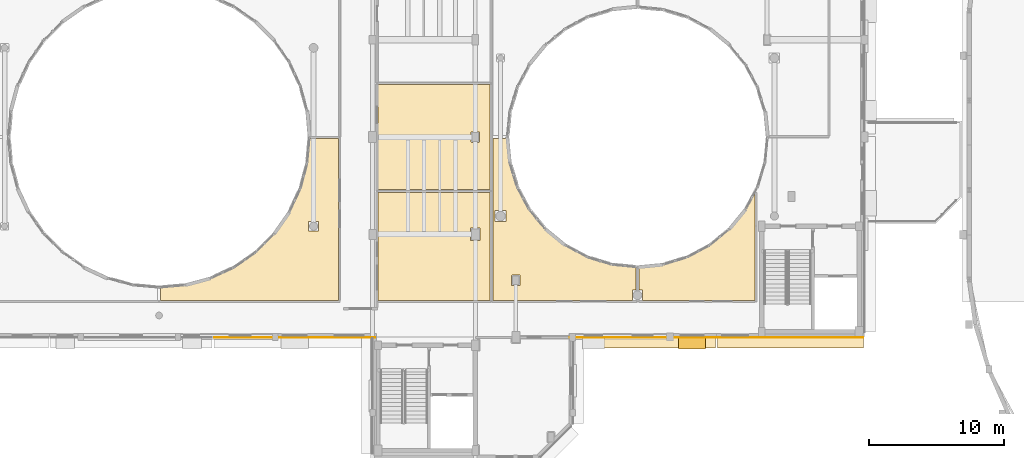
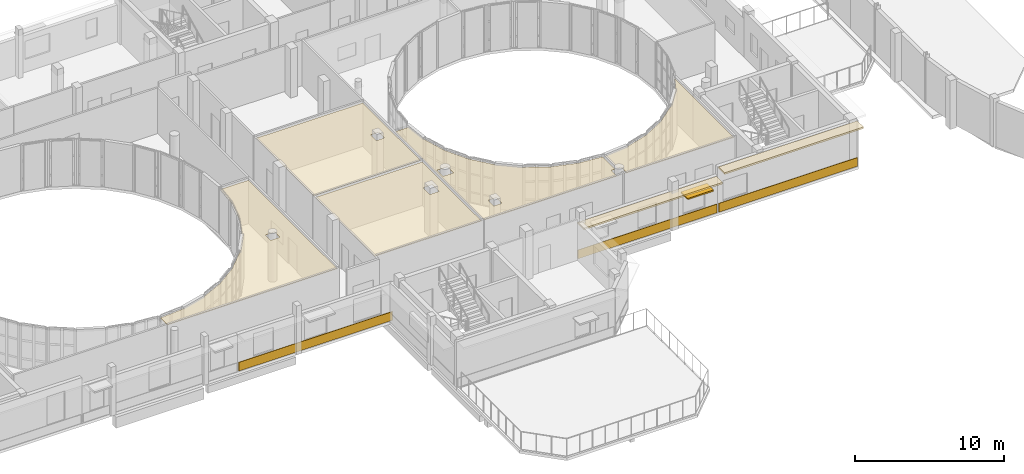
# One storey, part 81 of 89: 10 coverings, 1 shading device.
"""IFC4 building model written with IfcOpenShell, lengths in metres."""

import ifcopenshell
import ifcopenshell.guid

model = None  # the IFC model being written
_history = None  # IfcOwnerHistory: only IFC2X3 demands one
_inside = {}  # id of a spatial element -> (the spatial element, [elements in it])
_under = {}  # id of a project, library or spatial element -> (it, [spatial elements below it])
_declared = {}  # id of a project -> (the project, [libraries it declares])
_typed = {}  # id of a type object -> (the type object, [elements of that type])
_made_of = {}  # id of a material, layer set ... -> (it, [elements and type objects made of it])


def new_model(schema):
    """Start an empty IFC model of exactly this schema.

    Asked for "IFC4X3", IfcOpenShell would pick the latest addendum, in which some entities
    have other attributes; the version numbers below select the first issue.
    IFC2X3 requires an IfcOwnerHistory on every rooted entity: one is made here for all.
    """
    global model, _history
    if schema == "IFC4X3":
        model = ifcopenshell.file(schema_version=(4, 3, 0, 0))
    else:
        model = ifcopenshell.file(schema=schema)
    _inside.clear()
    _under.clear()
    _declared.clear()
    _typed.clear()
    _made_of.clear()
    _history = None
    if model.schema == "IFC2X3":
        org = make("IfcOrganization", Name="unknown")
        user = make(
            "IfcPersonAndOrganization",
            ThePerson=make("IfcPerson", FamilyName="unknown"),
            TheOrganization=org,
        )
        app = make(
            "IfcApplication",
            ApplicationDeveloper=org,
            Version="unknown",
            ApplicationFullName="unknown",
            ApplicationIdentifier="unknown",
        )
        _history = make(
            "IfcOwnerHistory",
            OwningUser=user,
            OwningApplication=app,
            ChangeAction="ADDED",
            CreationDate=0,
        )
    return model


def make(cls, **values):
    """One entity of the class cls with the attributes given. An attribute that is None is left unset."""
    return model.create_entity(
        cls, **{name: value for name, value in values.items() if value is not None}
    )


def rooted(cls, **values):
    """An entity with a GlobalId (a new one), such as an element, a storey or a relation."""
    return make(cls, GlobalId=ifcopenshell.guid.new(), OwnerHistory=_history, **values)


def si_unit(unit_type, name, prefix=None):
    """IfcSIUnit, for example si_unit("LENGTHUNIT", "METRE", prefix="MILLI")."""
    return make("IfcSIUnit", UnitType=unit_type, Prefix=prefix, Name=name)


def assignment(units):
    """IfcUnitAssignment: the units of a project."""
    return None if units is None else make("IfcUnitAssignment", Units=units)


def point(xyz):
    """IfcCartesianPoint."""
    return None if xyz is None else make("IfcCartesianPoint", Coordinates=xyz)


def direction(xyz):
    """IfcDirection."""
    return None if xyz is None else make("IfcDirection", DirectionRatios=xyz)


def frame(location, z_axis=None, x_axis=None):
    """IfcAxis2Placement3D, a coordinate frame: its origin and axes. An axis left out is left unset."""
    return make(
        "IfcAxis2Placement3D",
        Location=point(location),
        Axis=direction(z_axis),
        RefDirection=direction(x_axis),
    )


def frame_2d(location, x_axis=None):
    """IfcAxis2Placement2D, a coordinate frame in the plane: its origin and x axis."""
    return make(
        "IfcAxis2Placement2D", Location=point(location), RefDirection=direction(x_axis)
    )


def origin():
    """The frame at (0, 0, 0) with its axes left unset."""
    return frame((0.0, 0.0, 0.0))


def origin_2d():
    """The frame at (0, 0) in the plane with its x axis left unset."""
    return frame_2d((0.0, 0.0))


def place(relative_to, where):
    """IfcLocalPlacement: puts the frame where relative to a parent placement (None: the world)."""
    return make(
        "IfcLocalPlacement", PlacementRelTo=relative_to, RelativePlacement=where
    )


def context(
    kind, dimensions, precision=None, world=None, true_north=None, identifier=None
):
    """IfcGeometricRepresentationContext, for example the 3D "Model" context."""
    return make(
        "IfcGeometricRepresentationContext",
        ContextIdentifier=identifier,
        ContextType=kind,
        CoordinateSpaceDimension=dimensions,
        Precision=precision,
        WorldCoordinateSystem=world,
        TrueNorth=true_north,
    )


def subcontext(parent, identifier, kind, view, scale=None):
    """IfcGeometricRepresentationSubContext, for example "Body" below "Model"."""
    return make(
        "IfcGeometricRepresentationSubContext",
        ContextIdentifier=identifier,
        ContextType=kind,
        ParentContext=parent,
        TargetScale=scale,
        TargetView=view,
    )


def project(units=None, contexts=None):
    """IfcProject with its units and contexts."""
    return rooted(
        "IfcProject",
        Name="project",
        RepresentationContexts=contexts,
        UnitsInContext=assignment(units),
    )


def spatial(cls, under=None, at=None, **own):
    """A site, building, storey or space (cls), placed at a placement, below another one or the project."""
    s = rooted(cls, ObjectPlacement=at, **own)
    if under is not None:
        _under.setdefault(under.id(), (under, []))[1].append(s)
    return s


def polyline(points):
    """IfcPolyline through the points."""
    return make("IfcPolyline", Points=[point(p) for p in points])


def profile(cls, at=None, kind="AREA", **sizes):
    """A parametric profile (cls). Its sizes go by their IFC names, for example OverallWidth=200.0."""
    return make(cls, ProfileType=kind, Position=at, **sizes)


def rectangle(**sizes):
    """IfcRectangleProfileDef."""
    return profile("IfcRectangleProfileDef", **sizes)


def outline(outer, holes=None, kind="AREA"):
    """IfcArbitraryClosedProfileDef: a profile drawn as a closed curve; with holes, ...WithVoids."""
    if holes is None:
        return make("IfcArbitraryClosedProfileDef", ProfileType=kind, OuterCurve=outer)
    return make(
        "IfcArbitraryProfileDefWithVoids",
        ProfileType=kind,
        OuterCurve=outer,
        InnerCurves=holes,
    )


def extrude(swept, where, along, depth):
    """IfcExtrudedAreaSolid: the profile swept, set in the frame where, extruded along a direction by depth."""
    return make(
        "IfcExtrudedAreaSolid",
        SweptArea=swept,
        Position=where,
        ExtrudedDirection=direction(along),
        Depth=depth,
    )


def shape(context_of_items, identifier, shape_type, items):
    """IfcShapeRepresentation: the items that make up one representation, for example the "Body"."""
    return make(
        "IfcShapeRepresentation",
        ContextOfItems=context_of_items,
        RepresentationIdentifier=identifier,
        RepresentationType=shape_type,
        Items=items,
    )


def material(Name=None, Category=None):
    """IfcMaterial."""
    return make("IfcMaterial", Name=Name, Category=Category)


def layer(
    of_material, thickness, ventilated=None, Name=None, Category=None, Priority=None
):
    """IfcMaterialLayer: one layer of a wall or slab, of a material (None: an air gap)."""
    return make(
        "IfcMaterialLayer",
        Material=of_material,
        LayerThickness=thickness,
        IsVentilated=ventilated,
        Name=Name,
        Category=Category,
        Priority=Priority,
    )


def layer_set(layers, Name=None):
    """IfcMaterialLayerSet."""
    return make("IfcMaterialLayerSet", MaterialLayers=layers, LayerSetName=Name)


def made_of(thing, what):
    """Note that an element or type object is made of a material, layer set ...; save() writes the relation."""
    if what is not None:
        _made_of.setdefault(what.id(), (what, []))[1].append(thing)
    return thing


def type_object(cls, material=None, **own):
    """A type object (cls), such as IfcWallType, which elements share."""
    return made_of(rooted(cls, **own), material)


def element(
    cls,
    number,
    at=None,
    inside=None,
    cuts=None,
    type_object=None,
    material=None,
    context=None,
    identifier="Body",
    shape_type=None,
    held_by="IfcProductDefinitionShape",
    body=None,
    shapes=None,
    **own,
):
    """One element of the class cls, such as IfcWall. Its Tag is "e" and its number.

    at: its placement. inside: the storey or other place that contains it. cuts: it is an
    opening in that element (IfcRelVoidsElement). A single representation is given by context,
    identifier, shape_type and body (its items); several are given by shapes. held_by: the class
    of the entity that holds the representations. save() writes the other relations.
    """
    e = rooted(cls, Tag="e%d" % number, ObjectPlacement=at, **own)
    if body is not None:
        shapes = [shape(context, identifier, shape_type, body)]
    if shapes is not None:
        e.Representation = make(held_by, Representations=shapes)
    if inside is not None:
        _inside.setdefault(inside.id(), (inside, []))[1].append(e)
    if cuts is not None:
        rooted(
            "IfcRelVoidsElement", RelatingBuildingElement=cuts, RelatedOpeningElement=e
        )
    if type_object is not None:
        _typed.setdefault(type_object.id(), (type_object, []))[1].append(e)
    return made_of(e, material)


def aggregate(whole, parts):
    """IfcRelAggregates: a whole, such as a stair, and the parts it consists of."""
    return rooted("IfcRelAggregates", RelatingObject=whole, RelatedObjects=parts)


def save(model, path):
    """Write the relations noted so far, then the file.

    IfcRelAggregates (storeys below a building ...), IfcRelContainedInSpatialStructure (elements
    in a storey), IfcRelDefinesByType, IfcRelAssociatesMaterial and IfcRelDeclares: one each for
    every whole, place, type object, material and project.
    """
    for whole, parts in _under.values():
        aggregate(whole, parts)
    for where, things in _inside.values():
        rooted(
            "IfcRelContainedInSpatialStructure",
            RelatedElements=things,
            RelatingStructure=where,
        )
    for kind, things in _typed.values():
        rooted("IfcRelDefinesByType", RelatedObjects=things, RelatingType=kind)
    for what, things in _made_of.values():
        rooted("IfcRelAssociatesMaterial", RelatedObjects=things, RelatingMaterial=what)
    for by, libraries in _declared.values():
        rooted("IfcRelDeclares", RelatingContext=by, RelatedDefinitions=libraries)
    model.write(path)


model = new_model("IFC4")

# Units and contexts
model_context = context("Model", 3, precision=1e-05, world=origin(), true_north=direction((0.0, 1.0)))
body_context = subcontext(model_context, "Body", "Model", "MODEL_VIEW")
ifc_project = project(units=[si_unit("LENGTHUNIT", "METRE"), si_unit("AREAUNIT", "SQUARE_METRE"), si_unit("VOLUMEUNIT", "CUBIC_METRE"), si_unit("PLANEANGLEUNIT", "RADIAN"), si_unit("MASSUNIT", "GRAM", prefix="KILO")], contexts=[model_context])

# Site, building, storey
site_placement = place(None, origin())
site = spatial("IfcSite", under=ifc_project, at=site_placement, CompositionType="ELEMENT")
building_placement = place(site_placement, origin())
building = spatial("IfcBuilding", under=site, at=building_placement, Name="Kelanivale Promenade Academy", CompositionType="ELEMENT")
storey_placement = place(building_placement, frame((0.0, 0.0, 12.199951171875)))
storey = spatial("IfcBuildingStorey", under=building, at=storey_placement, Name="L03", CompositionType="ELEMENT", Elevation=12.199951171875)

# Coverings
ifc_material_1 = material(Name="Warm ivory Art Deco stucco frieze band 40 mm", Category="masonry")
ifc_layer_1 = layer(ifc_material_1, 0.0400390625)
ifc_layer_set_1 = layer_set([ifc_layer_1], Name="Warm ivory Art Deco stucco frieze band 40 mm")
covering_type_1 = type_object("IfcCoveringType", Name="COV-CLD2 Warm ivory Art Deco stucco frieze ba", PredefinedType="CLADDING", material=ifc_layer_set_1)
covering_1_placement = place(storey_placement, frame((99.18994140625, 41.60009765625, 2.89990234375), z_axis=(0.0, 0.0, 1.0), x_axis=(1.0, 0.0, 0.0)))
element("IfcCovering", 1, at=covering_1_placement, inside=storey, type_object=covering_type_1, Name="Art Deco projecting 820 mm streamline sunshade eyebrow ledge", PredefinedType="CLADDING", context=body_context, shape_type="SweptSolid", body=[
    extrude(rectangle(XDim=10.780029296875, YDim=0.820068359375, at=origin_2d()), origin(), (0.0, 0.0, 1.0), 0.139892578125),
])
covering_2_placement = place(storey_placement, frame((99.18994140625, 41.985107421875, 0.06005859375), z_axis=(0.0, 0.0, 1.0), x_axis=(1.0, 0.0, 0.0)))
element("IfcCovering", 2, at=covering_2_placement, inside=storey, type_object=covering_type_1, Name="Art Deco ivory stucco sill frieze band", PredefinedType="CLADDING", context=body_context, shape_type="SweptSolid", body=[
    extrude(rectangle(XDim=10.780029296875, YDim=0.0400390625, at=origin_2d()), origin(), (0.0, 0.0, 1.0), 0.719970703125),
])
covering_3_placement = place(storey_placement, frame((110.1298828125, 41.60009765625, 3.6201171875), z_axis=(0.0, 0.0, 1.0), x_axis=(1.0, 0.0, 0.0)))
element("IfcCovering", 3, at=covering_3_placement, inside=storey, type_object=covering_type_1, Name="Art Deco projecting 820 mm streamline sunshade eyebrow ledge", PredefinedType="CLADDING", context=body_context, shape_type="SweptSolid", body=[
    extrude(rectangle(XDim=10.780029296875, YDim=0.820068359375, at=origin_2d()), origin(), (0.0, 0.0, 1.0), 0.139892578125),
])
covering_4_placement = place(storey_placement, frame((110.1298828125, 41.985107421875, 0.06005859375), z_axis=(0.0, 0.0, 1.0), x_axis=(1.0, 0.0, 0.0)))
element("IfcCovering", 4, at=covering_4_placement, inside=storey, type_object=covering_type_1, Name="Art Deco ivory stucco sill frieze band", PredefinedType="CLADDING", context=body_context, shape_type="SweptSolid", body=[
    extrude(rectangle(XDim=10.780029296875, YDim=0.0400390625, at=origin_2d()), origin(), (0.0, 0.0, 1.0), 0.719970703125),
])
covering_5_placement = place(storey_placement, frame((73.43408203125, 41.985107421875, 0.06005859375), z_axis=(0.0, 0.0, 1.0), x_axis=(1.0, 0.0, 0.0)))
element("IfcCovering", 5, at=covering_5_placement, inside=storey, type_object=covering_type_1, Name="Art Deco ivory stucco sill frieze band", PredefinedType="CLADDING", context=body_context, shape_type="SweptSolid", body=[
    extrude(rectangle(XDim=11.93310546875, YDim=0.0400390625, at=origin_2d()), origin(), (0.0, 0.0, 1.0), 0.719970703125),
])
ifc_material_2 = material(Name="Acoustic mineral-fibre ceiling tile 25 mm", Category="gypsum")
ifc_layer_2 = layer(ifc_material_2, 0.02490234375)
ifc_layer_set_2 = layer_set([ifc_layer_2], Name="Acoustic mineral-fibre ceiling tile 25 mm")
covering_type_2 = type_object("IfcCoveringType", Name="COV-CLG1 Acoustic mineral-fibre ceiling tile ", PredefinedType="CEILING", material=ifc_layer_set_2)
covering_6_placement = place(storey_placement, frame((0.0, 0.0, 3.550048828125)))
element("IfcCovering", 6, at=covering_6_placement, inside=storey, type_object=covering_type_2, Name="Secondary Classroom acoustic suspended ceiling", PredefinedType="CEILING", context=body_context, shape_type="SweptSolid", body=[
    extrude(outline(polyline([(79.610107421875, 52.68994140625), (79.610107421875, 44.7099609375), (87.889892578125, 44.7099609375), (87.889892578125, 52.68994140625), (79.610107421875, 52.68994140625)]), holes=[polyline([(87.159912109375, 49.179931640625), (87.159912109375, 49.176025390625), (87.158935546875, 49.172119140625), (87.157958984375, 49.16796875), (87.156982421875, 49.1650390625), (87.155029296875, 49.160888671875), (87.153076171875, 49.157958984375), (87.15087890625, 49.155029296875), (87.14794921875, 49.152099609375), (87.14501953125, 49.14892578125), (87.14208984375, 49.14697265625), (87.138916015625, 49.14501953125), (87.135009765625, 49.14306640625), (87.132080078125, 49.14208984375), (87.1279296875, 49.14111328125), (87.1240234375, 49.139892578125), (87.1201171875, 49.139892578125), (86.47998046875, 49.139892578125), (86.47607421875, 49.139892578125), (86.471923828125, 49.14111328125), (86.468017578125, 49.14208984375), (86.465087890625, 49.14306640625), (86.4609375, 49.14501953125), (86.4580078125, 49.14697265625), (86.455078125, 49.14892578125), (86.451904296875, 49.152099609375), (86.448974609375, 49.155029296875), (86.447021484375, 49.157958984375), (86.445068359375, 49.160888671875), (86.443115234375, 49.1650390625), (86.44189453125, 49.16796875), (86.44091796875, 49.172119140625), (86.43994140625, 49.176025390625), (86.43994140625, 49.179931640625), (86.43994140625, 50.02001953125), (86.43994140625, 50.02392578125), (86.44091796875, 50.028076171875), (86.44189453125, 50.031982421875), (86.443115234375, 50.034912109375), (86.445068359375, 50.0390625), (86.447021484375, 50.0419921875), (86.448974609375, 50.044921875), (86.451904296875, 50.048095703125), (86.455078125, 50.051025390625), (86.4580078125, 50.052978515625), (86.4609375, 50.054931640625), (86.465087890625, 50.056884765625), (86.468017578125, 50.05810546875), (86.471923828125, 50.05908203125), (86.47607421875, 50.06005859375), (86.47998046875, 50.06005859375), (87.1201171875, 50.06005859375), (87.1240234375, 50.06005859375), (87.1279296875, 50.05908203125), (87.132080078125, 50.05810546875), (87.135009765625, 50.056884765625), (87.138916015625, 50.054931640625), (87.14208984375, 50.052978515625), (87.14501953125, 50.051025390625), (87.14794921875, 50.048095703125), (87.15087890625, 50.044921875), (87.153076171875, 50.0419921875), (87.155029296875, 50.0390625), (87.156982421875, 50.034912109375), (87.157958984375, 50.031982421875), (87.158935546875, 50.028076171875), (87.159912109375, 50.02392578125), (87.159912109375, 50.02001953125), (87.159912109375, 49.179931640625)])]), origin(), (0.0, 0.0, 1.0), 0.02490234375),
])
covering_7_placement = place(storey_placement, frame((0.0, 0.0, 3.550048828125)))
element("IfcCovering", 7, at=covering_7_placement, inside=storey, type_object=covering_type_2, Name="Art Studio acoustic suspended ceiling", PredefinedType="CEILING", context=body_context, shape_type="SweptSolid", body=[
    extrude(outline(polyline([(87.889892578125, 60.68994140625), (79.610107421875, 60.68994140625), (79.610107421875, 52.909912109375), (87.889892578125, 52.909912109375), (87.889892578125, 60.68994140625)]), holes=[polyline([(87.070068359375, 57.18505859375), (87.073974609375, 57.18505859375), (87.077880859375, 57.18408203125), (87.08203125, 57.18310546875), (87.0849609375, 57.181884765625), (87.089111328125, 57.179931640625), (87.092041015625, 57.177978515625), (87.094970703125, 57.176025390625), (87.097900390625, 57.173095703125), (87.10107421875, 57.169921875), (87.10302734375, 57.1669921875), (87.10498046875, 57.1640625), (87.10693359375, 57.159912109375), (87.10791015625, 57.156982421875), (87.10888671875, 57.153076171875), (87.110107421875, 57.14892578125), (87.110107421875, 57.14501953125), (87.110107421875, 56.455078125), (87.110107421875, 56.450927734375), (87.10888671875, 56.447021484375), (87.10791015625, 56.443115234375), (87.10693359375, 56.43994140625), (87.10498046875, 56.43603515625), (87.10302734375, 56.43310546875), (87.10107421875, 56.429931640625), (87.097900390625, 56.427001953125), (87.094970703125, 56.424072265625), (87.092041015625, 56.422119140625), (87.089111328125, 56.419921875), (87.0849609375, 56.41796875), (87.08203125, 56.4169921875), (87.077880859375, 56.416015625), (87.073974609375, 56.4150390625), (87.070068359375, 56.4150390625), (86.530029296875, 56.4150390625), (86.52587890625, 56.4150390625), (86.52197265625, 56.416015625), (86.51806640625, 56.4169921875), (86.514892578125, 56.41796875), (86.510986328125, 56.419921875), (86.508056640625, 56.422119140625), (86.5048828125, 56.424072265625), (86.501953125, 56.427001953125), (86.4990234375, 56.429931640625), (86.4970703125, 56.43310546875), (86.4951171875, 56.43603515625), (86.492919921875, 56.43994140625), (86.491943359375, 56.443115234375), (86.490966796875, 56.447021484375), (86.489990234375, 56.450927734375), (86.489990234375, 56.455078125), (86.489990234375, 57.14501953125), (86.489990234375, 57.14892578125), (86.490966796875, 57.153076171875), (86.491943359375, 57.156982421875), (86.492919921875, 57.159912109375), (86.4951171875, 57.1640625), (86.4970703125, 57.1669921875), (86.4990234375, 57.169921875), (86.501953125, 57.173095703125), (86.5048828125, 57.176025390625), (86.508056640625, 57.177978515625), (86.510986328125, 57.179931640625), (86.514892578125, 57.181884765625), (86.51806640625, 57.18310546875), (86.52197265625, 57.18408203125), (86.52587890625, 57.18505859375), (86.530029296875, 57.18505859375), (87.070068359375, 57.18505859375)])]), origin(), (0.0, 0.0, 1.0), 0.02490234375),
])
covering_8_placement = place(storey_placement, frame((0.0, 0.0, 3.550048828125)))
element("IfcCovering", 8, at=covering_8_placement, inside=storey, type_object=covering_type_2, Name="Art Studio Courtyard South acoustic suspended ceiling", PredefinedType="CEILING", context=body_context, shape_type="SweptSolid", body=[
    extrude(outline(polyline([(65.35400390625, 45.823974609375), (65.344970703125, 45.821044921875), (65.337890625, 45.820068359375), (65.330078125, 45.818115234375), (65.320068359375, 45.81689453125), (65.319091796875, 45.81689453125), (63.510009765625, 45.658935546875), (63.510009765625, 44.7099609375), (76.68994140625, 44.7099609375), (76.68994140625, 56.68994140625), (74.541015625, 56.68994140625), (74.383056640625, 54.881103515625), (74.383056640625, 54.8798828125), (74.382080078125, 54.8701171875), (74.3798828125, 54.862060546875), (74.37890625, 54.85498046875), (74.3759765625, 54.845947265625), (73.883056640625, 53.0029296875), (73.883056640625, 53.0009765625), (73.8798828125, 52.990966796875), (73.876953125, 52.98388671875), (73.873046875, 52.97412109375), (73.87109375, 52.969970703125), (73.06298828125, 51.239990234375), (73.06103515625, 51.235107421875), (73.055908203125, 51.22607421875), (73.051025390625, 51.217041015625), (73.047119140625, 51.2099609375), (71.951904296875, 49.64599609375), (71.946044921875, 49.638916015625), (71.93896484375, 49.631103515625), (71.931884765625, 49.623046875), (71.928955078125, 49.618896484375), (70.5810546875, 48.27099609375), (70.576904296875, 48.26806640625), (70.569091796875, 48.260986328125), (70.56103515625, 48.25390625), (70.553955078125, 48.248046875), (68.989990234375, 47.153076171875), (68.98291015625, 47.14892578125), (68.97412109375, 47.14404296875), (68.965087890625, 47.138916015625), (68.9599609375, 47.136962890625), (67.22998046875, 46.3291015625), (67.22607421875, 46.326904296875), (67.216064453125, 46.322998046875), (67.208984375, 46.320068359375), (67.198974609375, 46.31689453125), (67.197021484375, 46.31689453125), (65.35400390625, 45.823974609375)]), holes=[polyline([(75.152099609375, 50.56005859375), (75.156005859375, 50.56005859375), (75.159912109375, 50.55908203125), (75.1640625, 50.55810546875), (75.1669921875, 50.556884765625), (75.1708984375, 50.554931640625), (75.174072265625, 50.552978515625), (75.177001953125, 50.551025390625), (75.179931640625, 50.548095703125), (75.18310546875, 50.544921875), (75.18505859375, 50.5419921875), (75.18701171875, 50.5390625), (75.18896484375, 50.534912109375), (75.18994140625, 50.531982421875), (75.19091796875, 50.528076171875), (75.19189453125, 50.52392578125), (75.19189453125, 50.52001953125), (75.19189453125, 49.8798828125), (75.19189453125, 49.8759765625), (75.19091796875, 49.8720703125), (75.18994140625, 49.867919921875), (75.18896484375, 49.864990234375), (75.18701171875, 49.861083984375), (75.18505859375, 49.85791015625), (75.18310546875, 49.85498046875), (75.179931640625, 49.85205078125), (75.177001953125, 49.84912109375), (75.174072265625, 49.846923828125), (75.1708984375, 49.844970703125), (75.1669921875, 49.843017578125), (75.1640625, 49.842041015625), (75.159912109375, 49.841064453125), (75.156005859375, 49.840087890625), (75.152099609375, 49.840087890625), (74.511962890625, 49.840087890625), (74.508056640625, 49.840087890625), (74.50390625, 49.841064453125), (74.5, 49.842041015625), (74.4970703125, 49.843017578125), (74.492919921875, 49.844970703125), (74.489990234375, 49.846923828125), (74.487060546875, 49.84912109375), (74.48388671875, 49.85205078125), (74.48095703125, 49.85498046875), (74.47900390625, 49.85791015625), (74.47705078125, 49.861083984375), (74.47509765625, 49.864990234375), (74.47412109375, 49.867919921875), (74.472900390625, 49.8720703125), (74.471923828125, 49.8759765625), (74.471923828125, 49.8798828125), (74.471923828125, 50.52001953125), (74.471923828125, 50.52392578125), (74.472900390625, 50.528076171875), (74.47412109375, 50.531982421875), (74.47509765625, 50.534912109375), (74.47705078125, 50.5390625), (74.47900390625, 50.5419921875), (74.48095703125, 50.544921875), (74.48388671875, 50.548095703125), (74.487060546875, 50.551025390625), (74.489990234375, 50.552978515625), (74.492919921875, 50.554931640625), (74.4970703125, 50.556884765625), (74.5, 50.55810546875), (74.50390625, 50.55908203125), (74.508056640625, 50.56005859375), (74.511962890625, 50.56005859375), (75.152099609375, 50.56005859375)])]), origin(), (0.0, 0.0, 1.0), 0.02490234375),
])
covering_9_placement = place(storey_placement, frame((0.0, 0.0, 3.550048828125)))
element("IfcCovering", 9, at=covering_9_placement, inside=storey, type_object=covering_type_2, Name="Secondary Classroom East A acoustic suspended ceiling", PredefinedType="CEILING", context=body_context, shape_type="SweptSolid", body=[
    extrude(outline(polyline([(107.489990234375, 44.7099609375), (107.489990234375, 52.68408203125), (106.833984375, 51.455078125), (106.83203125, 51.451904296875), (106.825927734375, 51.44189453125), (106.820068359375, 51.43408203125), (106.81298828125, 51.425048828125), (106.81201171875, 51.423095703125), (105.636962890625, 49.989990234375), (105.632080078125, 49.98388671875), (105.6240234375, 49.97607421875), (105.615966796875, 49.968017578125), (105.610107421875, 49.962890625), (104.177001953125, 48.7880859375), (104.175048828125, 48.787109375), (104.166015625, 48.780029296875), (104.157958984375, 48.77392578125), (104.14794921875, 48.76806640625), (104.14501953125, 48.76611328125), (102.510009765625, 47.89306640625), (102.508056640625, 47.89208984375), (102.498046875, 47.886962890625), (102.489013671875, 47.884033203125), (102.47802734375, 47.8798828125), (102.47412109375, 47.8779296875), (100.700927734375, 47.340087890625), (100.69189453125, 47.337890625), (100.680908203125, 47.3359375), (100.679931640625, 47.3359375), (100.66796875, 47.333984375), (100.6630859375, 47.3330078125), (98.909912109375, 47.160888671875), (98.909912109375, 45.485107421875), (99.14501953125, 45.485107421875), (99.14892578125, 45.485107421875), (99.153076171875, 45.48388671875), (99.156982421875, 45.48291015625), (99.159912109375, 45.48193359375), (99.1640625, 45.47998046875), (99.1669921875, 45.47802734375), (99.169921875, 45.47607421875), (99.173095703125, 45.472900390625), (99.176025390625, 45.469970703125), (99.177978515625, 45.467041015625), (99.179931640625, 45.464111328125), (99.181884765625, 45.4599609375), (99.18310546875, 45.45703125), (99.18408203125, 45.452880859375), (99.18505859375, 45.448974609375), (99.18505859375, 45.445068359375), (99.18505859375, 44.7548828125), (99.18505859375, 44.7509765625), (99.18408203125, 44.7470703125), (99.18310546875, 44.742919921875), (99.181884765625, 44.739990234375), (99.179931640625, 44.736083984375), (99.177978515625, 44.73291015625), (99.176025390625, 44.72998046875), (99.173095703125, 44.72705078125), (99.169921875, 44.72412109375), (99.1669921875, 44.721923828125), (99.1640625, 44.719970703125), (99.159912109375, 44.718017578125), (99.156982421875, 44.717041015625), (99.153076171875, 44.716064453125), (99.14892578125, 44.715087890625), (99.14501953125, 44.715087890625), (98.909912109375, 44.715087890625), (98.909912109375, 44.7099609375), (107.489990234375, 44.7099609375)])), origin(), (0.0, 0.0, 1.0), 0.02490234375),
])
covering_10_placement = place(storey_placement, frame((0.0, 0.0, 3.550048828125)))
element("IfcCovering", 10, at=covering_10_placement, inside=storey, type_object=covering_type_2, Name="Secondary Classroom Courtyard East-South acoustic suspended ceiling", PredefinedType="CEILING", context=body_context, shape_type="SweptSolid", body=[
    extrude(outline(polyline([(91.97607421875, 49.97607421875), (91.968017578125, 49.98388671875), (91.962890625, 49.989990234375), (90.7880859375, 51.423095703125), (90.787109375, 51.425048828125), (90.780029296875, 51.43408203125), (90.77392578125, 51.44189453125), (90.76806640625, 51.451904296875), (90.76611328125, 51.455078125), (89.89306640625, 53.090087890625), (89.89208984375, 53.092041015625), (89.886962890625, 53.10205078125), (89.884033203125, 53.111083984375), (89.8798828125, 53.1220703125), (89.8779296875, 53.1259765625), (89.340087890625, 54.89892578125), (89.337890625, 54.907958984375), (89.3359375, 54.9189453125), (89.3359375, 54.919921875), (89.333984375, 54.931884765625), (89.3330078125, 54.93701171875), (89.160888671875, 56.68994140625), (88.110107421875, 56.68994140625), (88.110107421875, 44.7099609375), (98.68994140625, 44.7099609375), (98.68994140625, 44.715087890625), (98.455078125, 44.715087890625), (98.450927734375, 44.715087890625), (98.447021484375, 44.716064453125), (98.443115234375, 44.717041015625), (98.43994140625, 44.718017578125), (98.43603515625, 44.719970703125), (98.43310546875, 44.721923828125), (98.429931640625, 44.72412109375), (98.427001953125, 44.72705078125), (98.424072265625, 44.72998046875), (98.422119140625, 44.73291015625), (98.419921875, 44.736083984375), (98.41796875, 44.739990234375), (98.4169921875, 44.742919921875), (98.416015625, 44.7470703125), (98.4150390625, 44.7509765625), (98.4150390625, 44.7548828125), (98.4150390625, 45.445068359375), (98.4150390625, 45.448974609375), (98.416015625, 45.452880859375), (98.4169921875, 45.45703125), (98.41796875, 45.4599609375), (98.419921875, 45.464111328125), (98.422119140625, 45.467041015625), (98.424072265625, 45.469970703125), (98.427001953125, 45.472900390625), (98.429931640625, 45.47607421875), (98.43310546875, 45.47802734375), (98.43603515625, 45.47998046875), (98.43994140625, 45.48193359375), (98.443115234375, 45.48291015625), (98.447021484375, 45.48388671875), (98.450927734375, 45.485107421875), (98.455078125, 45.485107421875), (98.68994140625, 45.485107421875), (98.68994140625, 47.160888671875), (96.93701171875, 47.3330078125), (96.931884765625, 47.333984375), (96.919921875, 47.3359375), (96.9189453125, 47.3359375), (96.907958984375, 47.337890625), (96.89892578125, 47.340087890625), (95.1259765625, 47.8779296875), (95.1220703125, 47.8798828125), (95.111083984375, 47.884033203125), (95.10205078125, 47.886962890625), (95.092041015625, 47.89208984375), (95.090087890625, 47.89306640625), (93.455078125, 48.76611328125), (93.451904296875, 48.76806640625), (93.44189453125, 48.77392578125), (93.43408203125, 48.780029296875), (93.425048828125, 48.787109375), (93.423095703125, 48.7880859375), (91.989990234375, 49.962890625), (91.98388671875, 49.968017578125), (91.97607421875, 49.97607421875)]), holes=[polyline([(90.070068359375, 46.5849609375), (90.073974609375, 46.5849609375), (90.077880859375, 46.583984375), (90.08203125, 46.5830078125), (90.0849609375, 46.58203125), (90.089111328125, 46.580078125), (90.092041015625, 46.577880859375), (90.094970703125, 46.575927734375), (90.097900390625, 46.572998046875), (90.10107421875, 46.570068359375), (90.10302734375, 46.56689453125), (90.10498046875, 46.56396484375), (90.10693359375, 46.56005859375), (90.10791015625, 46.556884765625), (90.10888671875, 46.552978515625), (90.110107421875, 46.549072265625), (90.110107421875, 46.544921875), (90.110107421875, 45.85498046875), (90.110107421875, 45.85107421875), (90.10888671875, 45.846923828125), (90.10791015625, 45.843017578125), (90.10693359375, 45.840087890625), (90.10498046875, 45.8359375), (90.10302734375, 45.8330078125), (90.10107421875, 45.830078125), (90.097900390625, 45.826904296875), (90.094970703125, 45.823974609375), (90.092041015625, 45.822021484375), (90.089111328125, 45.820068359375), (90.0849609375, 45.818115234375), (90.08203125, 45.81689453125), (90.077880859375, 45.81591796875), (90.073974609375, 45.81494140625), (90.070068359375, 45.81494140625), (89.530029296875, 45.81494140625), (89.52587890625, 45.81494140625), (89.52197265625, 45.81591796875), (89.51806640625, 45.81689453125), (89.514892578125, 45.818115234375), (89.510986328125, 45.820068359375), (89.508056640625, 45.822021484375), (89.5048828125, 45.823974609375), (89.501953125, 45.826904296875), (89.4990234375, 45.830078125), (89.4970703125, 45.8330078125), (89.4951171875, 45.8359375), (89.492919921875, 45.840087890625), (89.491943359375, 45.843017578125), (89.490966796875, 45.846923828125), (89.489990234375, 45.85107421875), (89.489990234375, 45.85498046875), (89.489990234375, 46.544921875), (89.489990234375, 46.549072265625), (89.490966796875, 46.552978515625), (89.491943359375, 46.556884765625), (89.492919921875, 46.56005859375), (89.4951171875, 46.56396484375), (89.4970703125, 46.56689453125), (89.4990234375, 46.570068359375), (89.501953125, 46.572998046875), (89.5048828125, 46.575927734375), (89.508056640625, 46.577880859375), (89.510986328125, 46.580078125), (89.514892578125, 46.58203125), (89.51806640625, 46.5830078125), (89.52197265625, 46.583984375), (89.52587890625, 46.5849609375), (89.530029296875, 46.5849609375), (90.070068359375, 46.5849609375)]), polyline([(89.077880859375, 50.580078125), (89.077880859375, 50.575927734375), (89.076904296875, 50.572021484375), (89.075927734375, 50.568115234375), (89.074951171875, 50.56494140625), (89.072998046875, 50.56103515625), (89.071044921875, 50.55810546875), (89.069091796875, 50.554931640625), (89.06591796875, 50.552001953125), (89.06298828125, 50.549072265625), (89.06005859375, 50.547119140625), (89.056884765625, 50.544921875), (89.052978515625, 50.54296875), (89.050048828125, 50.5419921875), (89.0458984375, 50.541015625), (89.0419921875, 50.5400390625), (89.0380859375, 50.5400390625), (88.298095703125, 50.5400390625), (88.2939453125, 50.5400390625), (88.2900390625, 50.541015625), (88.285888671875, 50.5419921875), (88.282958984375, 50.54296875), (88.279052734375, 50.544921875), (88.27587890625, 50.547119140625), (88.27294921875, 50.549072265625), (88.27001953125, 50.552001953125), (88.26708984375, 50.554931640625), (88.264892578125, 50.55810546875), (88.262939453125, 50.56103515625), (88.260986328125, 50.56494140625), (88.260009765625, 50.568115234375), (88.259033203125, 50.572021484375), (88.258056640625, 50.575927734375), (88.258056640625, 50.580078125), (88.258056640625, 51.320068359375), (88.258056640625, 51.323974609375), (88.259033203125, 51.327880859375), (88.260009765625, 51.33203125), (88.260986328125, 51.3349609375), (88.262939453125, 51.339111328125), (88.264892578125, 51.342041015625), (88.26708984375, 51.344970703125), (88.27001953125, 51.347900390625), (88.27294921875, 51.35107421875), (88.27587890625, 51.35302734375), (88.279052734375, 51.35498046875), (88.282958984375, 51.35693359375), (88.285888671875, 51.35791015625), (88.2900390625, 51.35888671875), (88.2939453125, 51.360107421875), (88.298095703125, 51.360107421875), (89.0380859375, 51.360107421875), (89.0419921875, 51.360107421875), (89.0458984375, 51.35888671875), (89.050048828125, 51.35791015625), (89.052978515625, 51.35693359375), (89.056884765625, 51.35498046875), (89.06005859375, 51.35302734375), (89.06298828125, 51.35107421875), (89.06591796875, 51.347900390625), (89.069091796875, 51.344970703125), (89.071044921875, 51.342041015625), (89.072998046875, 51.339111328125), (89.074951171875, 51.3349609375), (89.075927734375, 51.33203125), (89.076904296875, 51.327880859375), (89.077880859375, 51.323974609375), (89.077880859375, 51.320068359375), (89.077880859375, 50.580078125)])]), origin(), (0.0, 0.0, 1.0), 0.02490234375),
])

# Shading device
ifc_material_3 = material(Name="Precast concrete C40/50", Category="concrete")
ifc_layer_3 = layer(ifc_material_3, 0.1201171875)
ifc_layer_set_3 = layer_set([ifc_layer_3], Name="Precast concrete C40/50")
shading_device_type = type_object("IfcShadingDeviceType", Name="SHD-01 Art Deco Sunshade Eyebrow 900mm", PredefinedType="USERDEFINED", material=ifc_layer_set_3)
shading_device_placement = place(storey_placement, frame((102.8369140625, 41.56005859375, 2.610107421875), z_axis=(0.0, 0.0, 1.0), x_axis=(1.0, 0.0, 0.0)))
element("IfcShadingDevice", 11, at=shading_device_placement, inside=storey, type_object=shading_device_type, Name="Art Deco 900 mm precast chajja window sunshade", ObjectType="SUNSHADE", PredefinedType="USERDEFINED", context=body_context, shape_type="SweptSolid", body=[
    extrude(rectangle(XDim=2.0, YDim=0.89990234375, at=origin_2d()), origin(), (0.0, 0.0, 1.0), 0.1201171875),
])

save(model, "model.ifc")
